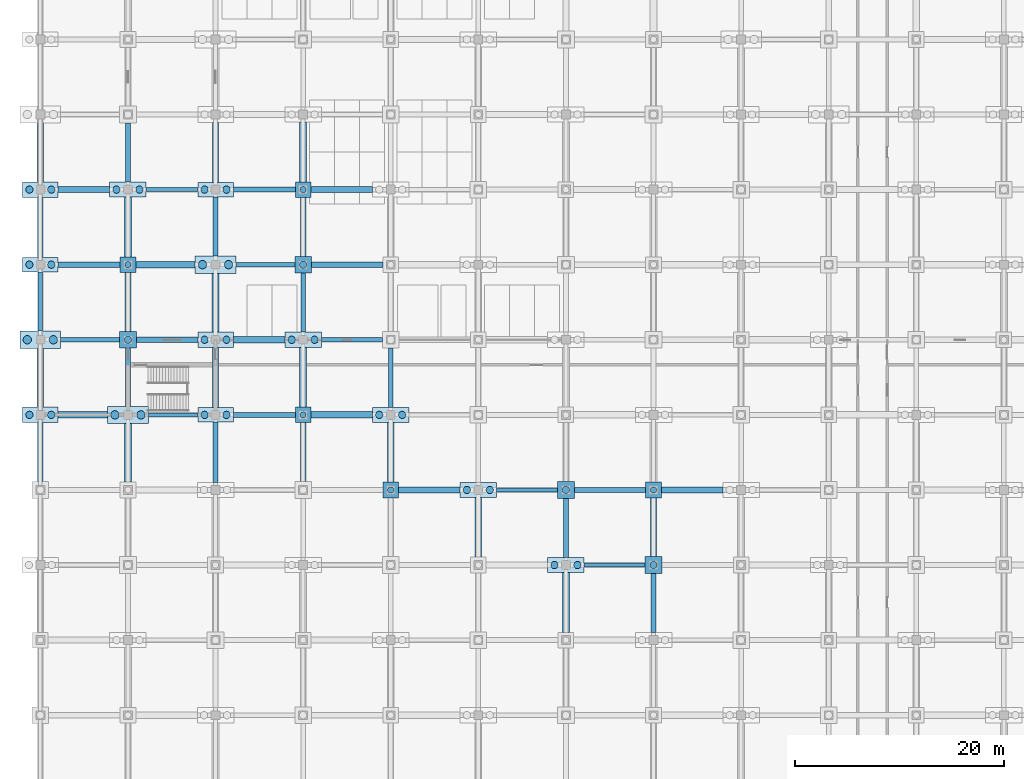
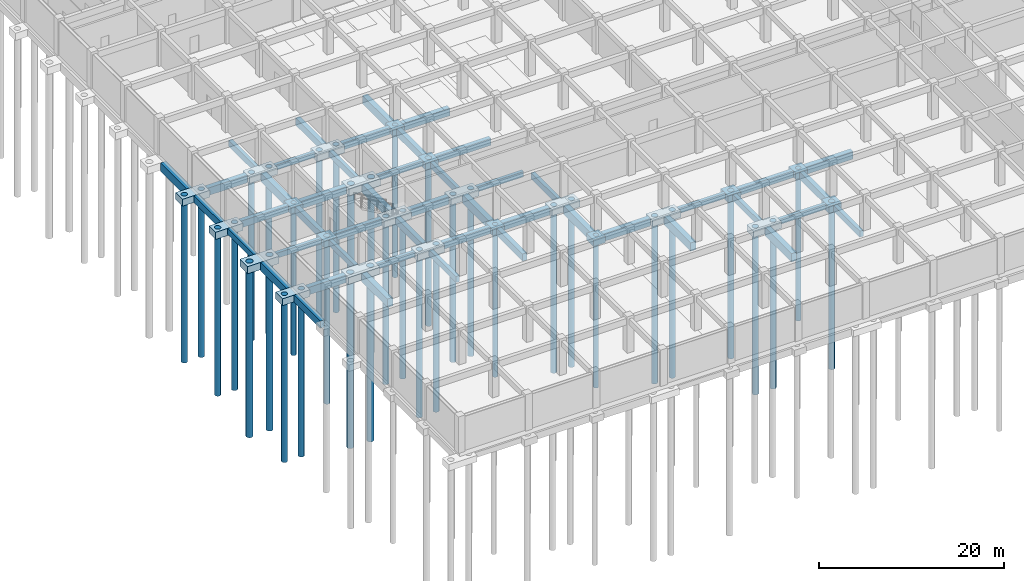
# One storey, part 2 of 85: 71 footings, 37 piles.
"""IFC4 building model written with IfcOpenShell, lengths in metres."""

from ifc_helpers import new_model, si_unit, direction, frame, origin, origin_2d, place, context, subcontext, project, spatial, rectangle, circle, extrude, material, material_profile, profile_set, type_object, element, save


model = new_model("IFC4")

# Units and contexts
model_context = context("Model", 3, precision=1e-05, world=origin(), true_north=direction((0.0, 1.0)))
body_context = subcontext(model_context, "Body", "Model", "MODEL_VIEW")
ifc_project = project(units=[si_unit("LENGTHUNIT", "METRE"), si_unit("AREAUNIT", "SQUARE_METRE"), si_unit("VOLUMEUNIT", "CUBIC_METRE"), si_unit("PLANEANGLEUNIT", "RADIAN"), si_unit("MASSUNIT", "GRAM", prefix="KILO")], contexts=[model_context])

# Site, building, storey
site_placement = place(None, origin())
site = spatial("IfcSite", under=ifc_project, at=site_placement, CompositionType="ELEMENT")
building_placement = place(site_placement, origin())
building = spatial("IfcBuilding", under=site, at=building_placement, Name="Chengyuan Square Courthouse", CompositionType="ELEMENT")
storey_placement = place(building_placement, frame((0.0, 0.0, -10.199951171875)))
storey = spatial("IfcBuildingStorey", under=building, at=storey_placement, Name="B02", CompositionType="ELEMENT", Elevation=-10.199951171875)

# Footings
ifc_material = material(Name="Concrete C40", Category="concrete")
ifc_material_profile_1 = material_profile(ifc_material, rectangle(XDim=0.39990234375, YDim=0.699951171875, at=origin_2d()), Name="GB-400x700")
ifc_profile_set_1 = profile_set([ifc_material_profile_1], Name="Concrete C40")
footing_type_1 = type_object("IfcFootingType", Name="GB-01", PredefinedType="FOOTING_BEAM", material=ifc_profile_set_1)
for number, where, z_axis, x_axis, name in (
    (1, (52.14990234375, 21.60009765625, -1.150146484375), (1.0, 0.0, 0.0), (0.0, 1.0, 0.0), "Ground Tie Beam GB-B02-0067"),
    (2, (43.75, 28.800048828125, -1.150146484375), (1.0, 0.0, 0.0), (0.0, 1.0, 0.0), "Ground Tie Beam GB-B02-0086"),
):
    element("IfcFooting", number, at=place(storey_placement, frame(where, z_axis=z_axis, x_axis=x_axis)), inside=storey, type_object=footing_type_1, Name=name, PredefinedType="FOOTING_BEAM", context=body_context, shape_type="SweptSolid", body=[
        extrude(rectangle(XDim=0.39990234375, YDim=0.699951171875, at=origin_2d()), origin(), (0.0, 0.0, 1.0), 5.85009765625),
    ])
footing_1_placement = place(storey_placement, frame((10.35009765625, 36.0, -1.150146484375), z_axis=(1.0, 0.0, 0.0), x_axis=(0.0, 1.0, 0.0)))
element("IfcFooting", 3, at=footing_1_placement, inside=storey, type_object=footing_type_1, Name="Ground Tie Beam GB-B02-0102", PredefinedType="FOOTING_BEAM", context=body_context, shape_type="SweptSolid", body=[
    extrude(rectangle(XDim=0.39990234375, YDim=0.699951171875, at=origin_2d()), origin(), (0.0, 0.0, 1.0), 4.75),
])
footing_2_placement = place(storey_placement, frame((1.949951171875, 43.199951171875, -1.150146484375), z_axis=(1.0, 0.0, 0.0), x_axis=(0.0, 1.0, 0.0)))
element("IfcFooting", 4, at=footing_2_placement, inside=storey, type_object=footing_type_1, Name="Ground Tie Beam GB-B02-0121", PredefinedType="FOOTING_BEAM", context=body_context, shape_type="SweptSolid", body=[
    extrude(rectangle(XDim=0.39990234375, YDim=0.699951171875, at=origin_2d()), origin(), (0.0, 0.0, 1.0), 5.650146484375),
])
footing_3_placement = place(storey_placement, frame((26.949951171875, 43.199951171875, -1.150146484375), z_axis=(1.0, 0.0, 0.0), x_axis=(0.0, 1.0, 0.0)))
element("IfcFooting", 5, at=footing_3_placement, inside=storey, type_object=footing_type_1, Name="Ground Tie Beam GB-B02-0124", PredefinedType="FOOTING_BEAM", context=body_context, shape_type="SweptSolid", body=[
    extrude(rectangle(XDim=0.39990234375, YDim=0.699951171875, at=origin_2d()), origin(), (0.0, 0.0, 1.0), 5.85009765625),
])
footing_4_placement = place(storey_placement, frame((18.75, 50.39990234375, -1.150146484375), z_axis=(1.0, 0.0, 0.0), x_axis=(0.0, 1.0, 0.0)))
element("IfcFooting", 6, at=footing_4_placement, inside=storey, type_object=footing_type_1, Name="Ground Tie Beam GB-B02-0143", PredefinedType="FOOTING_BEAM", context=body_context, shape_type="SweptSolid", body=[
    extrude(rectangle(XDim=0.39990234375, YDim=0.699951171875, at=origin_2d()), origin(), (0.0, 0.0, 1.0), 5.64990234375),
])
footing_5_placement = place(storey_placement, frame((10.14990234375, 57.60009765625, -1.150146484375), z_axis=(1.0, 0.0, 0.0), x_axis=(0.0, 1.0, 0.0)))
element("IfcFooting", 7, at=footing_5_placement, inside=storey, type_object=footing_type_1, Name="Ground Tie Beam GB-B02-0162", PredefinedType="FOOTING_BEAM", context=body_context, shape_type="SweptSolid", body=[
    extrude(rectangle(XDim=0.39990234375, YDim=0.699951171875, at=origin_2d()), origin(), (0.0, 0.0, 1.0), 4.9501953125),
])
ifc_material_profile_2 = material_profile(ifc_material, rectangle(XDim=0.449951171875, YDim=0.800048828125, at=origin_2d()), Name="GB-450x800")
ifc_profile_set_2 = profile_set([ifc_material_profile_2], Name="Concrete C40")
footing_type_2 = type_object("IfcFootingType", Name="GB-02", PredefinedType="FOOTING_BEAM", material=ifc_profile_set_2)
footing_6_placement = place(storey_placement, frame((0.0, 44.02490234375, -1.199951171875), z_axis=(0.0, 1.0, 0.0), x_axis=(-1.0, 0.0, 0.0)))
element("IfcFooting", 8, at=footing_6_placement, inside=storey, type_object=footing_type_2, Name="Ground Tie Beam GB-B02-0353", PredefinedType="FOOTING_BEAM", context=body_context, shape_type="SweptSolid", body=[
    extrude(rectangle(XDim=0.449951171875, YDim=0.800048828125, at=origin_2d()), origin(), (0.0, 0.0, 1.0), 5.675048828125),
])
footing_7_placement = place(storey_placement, frame((8.39990234375, 36.824951171875, -1.199951171875), z_axis=(0.0, 1.0, 0.0), x_axis=(-1.0, 0.0, 0.0)))
element("IfcFooting", 9, at=footing_7_placement, inside=storey, type_object=footing_type_2, Name="Ground Tie Beam GB-B02-0368", PredefinedType="FOOTING_BEAM", context=body_context, shape_type="SweptSolid", body=[
    extrude(rectangle(XDim=0.449951171875, YDim=0.800048828125, at=origin_2d()), origin(), (0.0, 0.0, 1.0), 5.574951171875),
])
footing_8_placement = place(storey_placement, frame((8.39990234375, 58.324951171875, -1.199951171875), z_axis=(0.0, 1.0, 0.0), x_axis=(-1.0, 0.0, 0.0)))
element("IfcFooting", 10, at=footing_8_placement, inside=storey, type_object=footing_type_2, Name="Ground Tie Beam GB-B02-0371", PredefinedType="FOOTING_BEAM", context=body_context, shape_type="SweptSolid", body=[
    extrude(rectangle(XDim=0.449951171875, YDim=0.800048828125, at=origin_2d()), origin(), (0.0, 0.0, 1.0), 5.675048828125),
])
footing_9_placement = place(storey_placement, frame((16.800048828125, 29.52490234375, -1.199951171875), z_axis=(0.0, 1.0, 0.0), x_axis=(-1.0, 0.0, 0.0)))
element("IfcFooting", 11, at=footing_9_placement, inside=storey, type_object=footing_type_2, Name="Ground Tie Beam GB-B02-0383", PredefinedType="FOOTING_BEAM", context=body_context, shape_type="SweptSolid", body=[
    extrude(rectangle(XDim=0.449951171875, YDim=0.800048828125, at=origin_2d()), origin(), (0.0, 0.0, 1.0), 5.775146484375),
])
footing_10_placement = place(storey_placement, frame((16.800048828125, 51.22509765625, -1.199951171875), z_axis=(0.0, 1.0, 0.0), x_axis=(-1.0, 0.0, 0.0)))
element("IfcFooting", 12, at=footing_10_placement, inside=storey, type_object=footing_type_2, Name="Ground Tie Beam GB-B02-0386", PredefinedType="FOOTING_BEAM", context=body_context, shape_type="SweptSolid", body=[
    extrude(rectangle(XDim=0.449951171875, YDim=0.800048828125, at=origin_2d()), origin(), (0.0, 0.0, 1.0), 5.6748046875),
])
footing_11_placement = place(storey_placement, frame((25.199951171875, 43.925048828125, -1.199951171875), z_axis=(0.0, 1.0, 0.0), x_axis=(-1.0, 0.0, 0.0)))
element("IfcFooting", 13, at=footing_11_placement, inside=storey, type_object=footing_type_2, Name="Ground Tie Beam GB-B02-0401", PredefinedType="FOOTING_BEAM", context=body_context, shape_type="SweptSolid", body=[
    extrude(rectangle(XDim=0.449951171875, YDim=0.800048828125, at=origin_2d()), origin(), (0.0, 0.0, 1.0), 5.675048828125),
])
footing_12_placement = place(storey_placement, frame((33.60009765625, 36.72509765625, -1.199951171875), z_axis=(0.0, 1.0, 0.0), x_axis=(-1.0, 0.0, 0.0)))
element("IfcFooting", 14, at=footing_12_placement, inside=storey, type_object=footing_type_2, Name="Ground Tie Beam GB-B02-0416", PredefinedType="FOOTING_BEAM", context=body_context, shape_type="SweptSolid", body=[
    extrude(rectangle(XDim=0.449951171875, YDim=0.800048828125, at=origin_2d()), origin(), (0.0, 0.0, 1.0), 5.6748046875),
])
for number, where, z_axis, x_axis, name in (
    (15, (50.39990234375, 22.324951171875, -1.199951171875), (0.0, 1.0, 0.0), (-1.0, 0.0, 0.0), "Ground Tie Beam GB-B02-0446"),
    (16, (58.800048828125, 15.125, -1.199951171875), (0.0, 1.0, 0.0), (-1.0, 0.0, 0.0), "Ground Tie Beam GB-B02-0461"),
):
    element("IfcFooting", number, at=place(storey_placement, frame(where, z_axis=z_axis, x_axis=x_axis)), inside=storey, type_object=footing_type_2, Name=name, PredefinedType="FOOTING_BEAM", context=body_context, shape_type="SweptSolid", body=[
        extrude(rectangle(XDim=0.449951171875, YDim=0.800048828125, at=origin_2d()), origin(), (0.0, 0.0, 1.0), 5.675048828125),
    ])
ifc_material_profile_3 = material_profile(ifc_material, rectangle(XDim=0.5, YDim=0.89990234375, at=origin_2d()), Name="GB-500x900")
ifc_profile_set_3 = profile_set([ifc_material_profile_3], Name="Concrete C40")
footing_type_3 = type_object("IfcFootingType", Name="GB-03", PredefinedType="FOOTING_BEAM", material=ifc_profile_set_3)
footing_13_placement = place(storey_placement, frame((51.199951171875, 28.800048828125, -1.25), z_axis=(1.0, 0.0, 0.0), x_axis=(0.0, 1.0, 0.0)))
element("IfcFooting", 17, at=footing_13_placement, inside=storey, type_object=footing_type_3, Name="Ground Tie Beam GB-B02-0087", PredefinedType="FOOTING_BEAM", context=body_context, shape_type="SweptSolid", body=[
    extrude(rectangle(XDim=0.5, YDim=0.89990234375, at=origin_2d()), origin(), (0.0, 0.0, 1.0), 6.85009765625),
])
footing_14_placement = place(storey_placement, frame((18.5, 36.0, -1.25), z_axis=(1.0, 0.0, 0.0), x_axis=(0.0, 1.0, 0.0)))
element("IfcFooting", 18, at=footing_14_placement, inside=storey, type_object=footing_type_3, Name="Ground Tie Beam GB-B02-0103", PredefinedType="FOOTING_BEAM", context=body_context, shape_type="SweptSolid", body=[
    extrude(rectangle(XDim=0.5, YDim=0.89990234375, at=origin_2d()), origin(), (0.0, 0.0, 1.0), 5.949951171875),
])
footing_15_placement = place(storey_placement, frame((9.199951171875, 43.199951171875, -1.25), z_axis=(1.0, 0.0, 0.0), x_axis=(0.0, 1.0, 0.0)))
element("IfcFooting", 19, at=footing_15_placement, inside=storey, type_object=footing_type_3, Name="Ground Tie Beam GB-B02-0122", PredefinedType="FOOTING_BEAM", context=body_context, shape_type="SweptSolid", body=[
    extrude(rectangle(XDim=0.5, YDim=0.89990234375, at=origin_2d()), origin(), (0.0, 0.0, 1.0), 5.900146484375),
])
footing_16_placement = place(storey_placement, frame((1.699951171875, 50.39990234375, -1.25), z_axis=(1.0, 0.0, 0.0), x_axis=(0.0, 1.0, 0.0)))
element("IfcFooting", 20, at=footing_16_placement, inside=storey, type_object=footing_type_3, Name="Ground Tie Beam GB-B02-0141", PredefinedType="FOOTING_BEAM", context=body_context, shape_type="SweptSolid", body=[
    extrude(rectangle(XDim=0.5, YDim=0.89990234375, at=origin_2d()), origin(), (0.0, 0.0, 1.0), 5.949951171875),
])
footing_17_placement = place(storey_placement, frame((26.0, 50.39990234375, -1.25), z_axis=(1.0, 0.0, 0.0), x_axis=(0.0, 1.0, 0.0)))
element("IfcFooting", 21, at=footing_17_placement, inside=storey, type_object=footing_type_3, Name="Ground Tie Beam GB-B02-0144", PredefinedType="FOOTING_BEAM", context=body_context, shape_type="SweptSolid", body=[
    extrude(rectangle(XDim=0.5, YDim=0.89990234375, at=origin_2d()), origin(), (0.0, 0.0, 1.0), 6.85009765625),
])
footing_18_placement = place(storey_placement, frame((18.5, 57.60009765625, -1.25), z_axis=(1.0, 0.0, 0.0), x_axis=(0.0, 1.0, 0.0)))
element("IfcFooting", 22, at=footing_18_placement, inside=storey, type_object=footing_type_3, Name="Ground Tie Beam GB-B02-0163", PredefinedType="FOOTING_BEAM", context=body_context, shape_type="SweptSolid", body=[
    extrude(rectangle(XDim=0.5, YDim=0.89990234375, at=origin_2d()), origin(), (0.0, 0.0, 1.0), 5.949951171875),
])
ifc_material_profile_4 = material_profile(ifc_material, rectangle(XDim=0.550048828125, YDim=0.949951171875, at=origin_2d()), Name="GB-550x950")
ifc_profile_set_4 = profile_set([ifc_material_profile_4], Name="Concrete C40")
footing_type_4 = type_object("IfcFootingType", Name="GB-04", PredefinedType="FOOTING_BEAM", material=ifc_profile_set_4)
footing_19_placement = place(storey_placement, frame((0.0, 29.60009765625, -1.275146484375), z_axis=(0.0, 1.0, 0.0), x_axis=(-1.0, 0.0, 0.0)))
element("IfcFooting", 23, at=footing_19_placement, inside=storey, type_object=footing_type_4, Name="Ground Tie Beam GB-B02-0351", PredefinedType="FOOTING_BEAM", context=body_context, shape_type="SweptSolid", body=[
    extrude(rectangle(XDim=0.550048828125, YDim=0.949951171875, at=origin_2d()), origin(), (0.0, 0.0, 1.0), 5.64990234375),
])
footing_20_placement = place(storey_placement, frame((0.0, 51.10009765625, -1.275146484375), z_axis=(0.0, 1.0, 0.0), x_axis=(-1.0, 0.0, 0.0)))
element("IfcFooting", 24, at=footing_20_placement, inside=storey, type_object=footing_type_4, Name="Ground Tie Beam GB-B02-0354", PredefinedType="FOOTING_BEAM", context=body_context, shape_type="SweptSolid", body=[
    extrude(rectangle(XDim=0.550048828125, YDim=0.949951171875, at=origin_2d()), origin(), (0.0, 0.0, 1.0), 5.75),
])
footing_21_placement = place(storey_placement, frame((8.39990234375, 44.0, -1.275146484375), z_axis=(0.0, 1.0, 0.0), x_axis=(-1.0, 0.0, 0.0)))
element("IfcFooting", 25, at=footing_21_placement, inside=storey, type_object=footing_type_4, Name="Ground Tie Beam GB-B02-0369", PredefinedType="FOOTING_BEAM", context=body_context, shape_type="SweptSolid", body=[
    extrude(rectangle(XDim=0.550048828125, YDim=0.949951171875, at=origin_2d()), origin(), (0.0, 0.0, 1.0), 5.64990234375),
])
for number, where, z_axis, x_axis, name in (
    (26, (16.800048828125, 36.699951171875, -1.275146484375), (0.0, 1.0, 0.0), (-1.0, 0.0, 0.0), "Ground Tie Beam GB-B02-0384"),
    (27, (16.800048828125, 58.300048828125, -1.275146484375), (0.0, 1.0, 0.0), (-1.0, 0.0, 0.0), "Ground Tie Beam GB-B02-0387"),
):
    element("IfcFooting", number, at=place(storey_placement, frame(where, z_axis=z_axis, x_axis=x_axis)), inside=storey, type_object=footing_type_4, Name=name, PredefinedType="FOOTING_BEAM", context=body_context, shape_type="SweptSolid", body=[
        extrude(rectangle(XDim=0.550048828125, YDim=0.949951171875, at=origin_2d()), origin(), (0.0, 0.0, 1.0), 5.75),
    ])
footing_22_placement = place(storey_placement, frame((25.199951171875, 29.60009765625, -1.275146484375), z_axis=(0.0, 1.0, 0.0), x_axis=(-1.0, 0.0, 0.0)))
element("IfcFooting", 28, at=footing_22_placement, inside=storey, type_object=footing_type_4, Name="Ground Tie Beam GB-B02-0399", PredefinedType="FOOTING_BEAM", context=body_context, shape_type="SweptSolid", body=[
    extrude(rectangle(XDim=0.550048828125, YDim=0.949951171875, at=origin_2d()), origin(), (0.0, 0.0, 1.0), 5.64990234375),
])
for number, where, z_axis, x_axis, name in (
    (29, (25.199951171875, 51.199951171875, -1.275146484375), (0.0, 1.0, 0.0), (-1.0, 0.0, 0.0), "Ground Tie Beam GB-B02-0402"),
    (30, (58.800048828125, 22.39990234375, -1.275146484375), (0.0, 1.0, 0.0), (-1.0, 0.0, 0.0), "Ground Tie Beam GB-B02-0462"),
):
    element("IfcFooting", number, at=place(storey_placement, frame(where, z_axis=z_axis, x_axis=x_axis)), inside=storey, type_object=footing_type_4, Name=name, PredefinedType="FOOTING_BEAM", context=body_context, shape_type="SweptSolid", body=[
        extrude(rectangle(XDim=0.550048828125, YDim=0.949951171875, at=origin_2d()), origin(), (0.0, 0.0, 1.0), 5.650146484375),
    ])
ifc_material_profile_5 = material_profile(ifc_material, rectangle(XDim=0.60009765625, YDim=1.0, at=origin_2d()), Name="GB-600x1000")
ifc_profile_set_5 = profile_set([ifc_material_profile_5], Name="Concrete C40")
footing_type_5 = type_object("IfcFootingType", Name="GB-05", PredefinedType="FOOTING_BEAM", material=ifc_profile_set_5)
for number, where, z_axis, x_axis, name in (
    (31, (34.35009765625, 28.800048828125, -1.300048828125), (1.0, 0.0, 0.0), (0.0, 1.0, 0.0), "Ground Tie Beam GB-B02-0085"),
    (32, (59.550048828125, 28.800048828125, -1.300048828125), (1.0, 0.0, 0.0), (0.0, 1.0, 0.0), "Ground Tie Beam GB-B02-0088"),
):
    element("IfcFooting", number, at=place(storey_placement, frame(where, z_axis=z_axis, x_axis=x_axis)), inside=storey, type_object=footing_type_5, Name=name, PredefinedType="FOOTING_BEAM", context=body_context, shape_type="SweptSolid", body=[
        extrude(rectangle(XDim=0.60009765625, YDim=1.0, at=origin_2d()), origin(), (0.0, 0.0, 1.0), 5.89990234375),
    ])
footing_23_placement = place(storey_placement, frame((1.699951171875, 36.0, -1.300048828125), z_axis=(1.0, 0.0, 0.0), x_axis=(0.0, 1.0, 0.0)))
element("IfcFooting", 33, at=footing_23_placement, inside=storey, type_object=footing_type_5, Name="Ground Tie Beam GB-B02-0101", PredefinedType="FOOTING_BEAM", context=body_context, shape_type="SweptSolid", body=[
    extrude(rectangle(XDim=0.60009765625, YDim=1.0, at=origin_2d()), origin(), (0.0, 0.0, 1.0), 4.75),
])
footing_24_placement = place(storey_placement, frame((25.949951171875, 36.0, -1.300048828125), z_axis=(1.0, 0.0, 0.0), x_axis=(0.0, 1.0, 0.0)))
element("IfcFooting", 34, at=footing_24_placement, inside=storey, type_object=footing_type_5, Name="Ground Tie Beam GB-B02-0104", PredefinedType="FOOTING_BEAM", context=body_context, shape_type="SweptSolid", body=[
    extrude(rectangle(XDim=0.60009765625, YDim=1.0, at=origin_2d()), origin(), (0.0, 0.0, 1.0), 5.900146484375),
])
footing_25_placement = place(storey_placement, frame((18.5, 43.199951171875, -1.300048828125), z_axis=(1.0, 0.0, 0.0), x_axis=(0.0, 1.0, 0.0)))
element("IfcFooting", 35, at=footing_25_placement, inside=storey, type_object=footing_type_5, Name="Ground Tie Beam GB-B02-0123", PredefinedType="FOOTING_BEAM", context=body_context, shape_type="SweptSolid", body=[
    extrude(rectangle(XDim=0.60009765625, YDim=1.0, at=origin_2d()), origin(), (0.0, 0.0, 1.0), 4.949951171875),
])
footing_26_placement = place(storey_placement, frame((9.14990234375, 50.39990234375, -1.300048828125), z_axis=(1.0, 0.0, 0.0), x_axis=(0.0, 1.0, 0.0)))
element("IfcFooting", 36, at=footing_26_placement, inside=storey, type_object=footing_type_5, Name="Ground Tie Beam GB-B02-0142", PredefinedType="FOOTING_BEAM", context=body_context, shape_type="SweptSolid", body=[
    extrude(rectangle(XDim=0.60009765625, YDim=1.0, at=origin_2d()), origin(), (0.0, 0.0, 1.0), 5.7001953125),
])
footing_27_placement = place(storey_placement, frame((1.699951171875, 57.60009765625, -1.300048828125), z_axis=(1.0, 0.0, 0.0), x_axis=(0.0, 1.0, 0.0)))
element("IfcFooting", 37, at=footing_27_placement, inside=storey, type_object=footing_type_5, Name="Ground Tie Beam GB-B02-0161", PredefinedType="FOOTING_BEAM", context=body_context, shape_type="SweptSolid", body=[
    extrude(rectangle(XDim=0.60009765625, YDim=1.0, at=origin_2d()), origin(), (0.0, 0.0, 1.0), 4.949951171875),
])
footing_28_placement = place(storey_placement, frame((25.949951171875, 57.60009765625, -1.300048828125), z_axis=(1.0, 0.0, 0.0), x_axis=(0.0, 1.0, 0.0)))
element("IfcFooting", 38, at=footing_28_placement, inside=storey, type_object=footing_type_5, Name="Ground Tie Beam GB-B02-0164", PredefinedType="FOOTING_BEAM", context=body_context, shape_type="SweptSolid", body=[
    extrude(rectangle(XDim=0.60009765625, YDim=1.0, at=origin_2d()), origin(), (0.0, 0.0, 1.0), 5.900146484375),
])
ifc_material_profile_6 = material_profile(ifc_material, rectangle(XDim=0.64990234375, YDim=1.10009765625, at=origin_2d()), Name="GB-650x1100")
ifc_profile_set_6 = profile_set([ifc_material_profile_6], Name="Concrete C40")
footing_type_6 = type_object("IfcFootingType", Name="GB-06", PredefinedType="FOOTING_BEAM", material=ifc_profile_set_6)
for number, where, z_axis, x_axis, name in (
    (39, (0.0, 36.75, -1.35009765625), (0.0, 1.0, 0.0), (-1.0, 0.0, 0.0), "Ground Tie Beam GB-B02-0352"),
    (40, (0.0, 58.35009765625, -1.35009765625), (0.0, 1.0, 0.0), (-1.0, 0.0, 0.0), "Ground Tie Beam GB-B02-0355"),
    (41, (8.39990234375, 29.550048828125, -1.35009765625), (0.0, 1.0, 0.0), (-1.0, 0.0, 0.0), "Ground Tie Beam GB-B02-0367"),
):
    element("IfcFooting", number, at=place(storey_placement, frame(where, z_axis=z_axis, x_axis=x_axis)), inside=storey, type_object=footing_type_6, Name=name, PredefinedType="FOOTING_BEAM", context=body_context, shape_type="SweptSolid", body=[
        extrude(rectangle(XDim=0.64990234375, YDim=1.10009765625, at=origin_2d()), origin(), (0.0, 0.0, 1.0), 5.625),
    ])
footing_29_placement = place(storey_placement, frame((8.39990234375, 51.14990234375, -1.35009765625), z_axis=(0.0, 1.0, 0.0), x_axis=(-1.0, 0.0, 0.0)))
element("IfcFooting", 42, at=footing_29_placement, inside=storey, type_object=footing_type_6, Name="Ground Tie Beam GB-B02-0370", PredefinedType="FOOTING_BEAM", context=body_context, shape_type="SweptSolid", body=[
    extrude(rectangle(XDim=0.64990234375, YDim=1.10009765625, at=origin_2d()), origin(), (0.0, 0.0, 1.0), 5.72509765625),
])
footing_30_placement = place(storey_placement, frame((16.800048828125, 43.949951171875, -1.35009765625), z_axis=(0.0, 1.0, 0.0), x_axis=(-1.0, 0.0, 0.0)))
element("IfcFooting", 43, at=footing_30_placement, inside=storey, type_object=footing_type_6, Name="Ground Tie Beam GB-B02-0385", PredefinedType="FOOTING_BEAM", context=body_context, shape_type="SweptSolid", body=[
    extrude(rectangle(XDim=0.64990234375, YDim=1.10009765625, at=origin_2d()), origin(), (0.0, 0.0, 1.0), 5.625),
])
footing_31_placement = place(storey_placement, frame((25.199951171875, 36.75, -1.35009765625), z_axis=(0.0, 1.0, 0.0), x_axis=(-1.0, 0.0, 0.0)))
element("IfcFooting", 44, at=footing_31_placement, inside=storey, type_object=footing_type_6, Name="Ground Tie Beam GB-B02-0400", PredefinedType="FOOTING_BEAM", context=body_context, shape_type="SweptSolid", body=[
    extrude(rectangle(XDim=0.64990234375, YDim=1.10009765625, at=origin_2d()), origin(), (0.0, 0.0, 1.0), 5.72509765625),
])
for number, where, z_axis, x_axis, name in (
    (45, (25.199951171875, 58.35009765625, -1.35009765625), (0.0, 1.0, 0.0), (-1.0, 0.0, 0.0), "Ground Tie Beam GB-B02-0403"),
    (46, (33.60009765625, 29.550048828125, -1.35009765625), (0.0, 1.0, 0.0), (-1.0, 0.0, 0.0), "Ground Tie Beam GB-B02-0415"),
    (47, (42.0, 22.35009765625, -1.35009765625), (0.0, 1.0, 0.0), (-1.0, 0.0, 0.0), "Ground Tie Beam GB-B02-0430"),
):
    element("IfcFooting", number, at=place(storey_placement, frame(where, z_axis=z_axis, x_axis=x_axis)), inside=storey, type_object=footing_type_6, Name=name, PredefinedType="FOOTING_BEAM", context=body_context, shape_type="SweptSolid", body=[
        extrude(rectangle(XDim=0.64990234375, YDim=1.10009765625, at=origin_2d()), origin(), (0.0, 0.0, 1.0), 5.724853515625),
    ])
footing_32_placement = place(storey_placement, frame((50.39990234375, 15.14990234375, -1.35009765625), z_axis=(0.0, 1.0, 0.0), x_axis=(-1.0, 0.0, 0.0)))
element("IfcFooting", 48, at=footing_32_placement, inside=storey, type_object=footing_type_6, Name="Ground Tie Beam GB-B02-0445", PredefinedType="FOOTING_BEAM", context=body_context, shape_type="SweptSolid", body=[
    extrude(rectangle(XDim=0.64990234375, YDim=1.10009765625, at=origin_2d()), origin(), (0.0, 0.0, 1.0), 5.72509765625),
])
footing_type_7 = type_object("IfcFootingType", Name="PC-16", PredefinedType="PILE_CAP", material=ifc_material)
for number, where, z_axis, x_axis, name in (
    (49, (0.0, 43.199951171875, -1.75), (0.0, 0.0, 1.0), (1.0, 0.0, 0.0), "Pile Cap PC-B02-007"),
    (50, (8.39990234375, 36.0, -1.75), (0.0, 0.0, 1.0), (1.0, 0.0, 0.0), "Pile Cap PC-B02-023"),
    (51, (16.800048828125, 50.39990234375, -1.75), (0.0, 0.0, 1.0), (1.0, 0.0, 0.0), "Pile Cap PC-B02-042"),
):
    element("IfcFooting", number, at=place(storey_placement, frame(where, z_axis=z_axis, x_axis=x_axis)), inside=storey, type_object=footing_type_7, Name=name, PredefinedType="PILE_CAP", context=body_context, shape_type="SweptSolid", body=[
        extrude(rectangle(XDim=3.89990234375, YDim=1.64990234375, at=origin_2d()), origin(), (0.0, 0.0, 1.0), 0.949951171875),
    ])
footing_type_8 = type_object("IfcFootingType", Name="PC-17", PredefinedType="PILE_CAP", material=ifc_material)
for number, where, z_axis, x_axis, name in (
    (52, (0.0, 50.39990234375, -1.75), (0.0, 0.0, 1.0), (1.0, 0.0, 0.0), "Pile Cap PC-B02-008"),
    (53, (16.800048828125, 36.0, -1.75), (0.0, 0.0, 1.0), (1.0, 0.0, 0.0), "Pile Cap PC-B02-040"),
    (54, (16.800048828125, 57.60009765625, -1.75), (0.0, 0.0, 1.0), (1.0, 0.0, 0.0), "Pile Cap PC-B02-043"),
):
    element("IfcFooting", number, at=place(storey_placement, frame(where, z_axis=z_axis, x_axis=x_axis)), inside=storey, type_object=footing_type_8, Name=name, PredefinedType="PILE_CAP", context=body_context, shape_type="SweptSolid", body=[
        extrude(rectangle(XDim=3.39990234375, YDim=1.39990234375, at=origin_2d()), origin(), (0.0, 0.0, 1.0), 0.949951171875),
    ])
footing_type_9 = type_object("IfcFootingType", Name="PC-18", PredefinedType="PILE_CAP", material=ifc_material)
for number, where, z_axis, x_axis, name in (
    (55, (0.0, 36.0, -1.699951171875), (0.0, 0.0, 1.0), (1.0, 0.0, 0.0), "Pile Cap PC-B02-006"),
    (56, (0.0, 57.60009765625, -1.699951171875), (0.0, 0.0, 1.0), (1.0, 0.0, 0.0), "Pile Cap PC-B02-009"),
    (57, (16.800048828125, 43.199951171875, -1.699951171875), (0.0, 0.0, 1.0), (1.0, 0.0, 0.0), "Pile Cap PC-B02-041"),
):
    element("IfcFooting", number, at=place(storey_placement, frame(where, z_axis=z_axis, x_axis=x_axis)), inside=storey, type_object=footing_type_9, Name=name, PredefinedType="PILE_CAP", context=body_context, shape_type="SweptSolid", body=[
        extrude(rectangle(XDim=3.39990234375, YDim=1.5, at=origin_2d()), origin(), (0.0, 0.0, 1.0), 0.89990234375),
    ])
footing_type_10 = type_object("IfcFootingType", Name="PC-19", PredefinedType="PILE_CAP", material=ifc_material)
for number, where, z_axis, x_axis, name in (
    (58, (8.39990234375, 57.60009765625, -1.650146484375), (0.0, 0.0, 1.0), (1.0, 0.0, 0.0), "Pile Cap PC-B02-026"),
    (59, (25.199951171875, 43.199951171875, -1.650146484375), (0.0, 0.0, 1.0), (1.0, 0.0, 0.0), "Pile Cap PC-B02-058"),
    (60, (33.60009765625, 36.0, -1.650146484375), (0.0, 0.0, 1.0), (1.0, 0.0, 0.0), "Pile Cap PC-B02-074"),
    (61, (42.0, 28.800048828125, -1.650146484375), (0.0, 0.0, 1.0), (1.0, 0.0, 0.0), "Pile Cap PC-B02-090"),
    (62, (50.39990234375, 21.60009765625, -1.650146484375), (0.0, 0.0, 1.0), (1.0, 0.0, 0.0), "Pile Cap PC-B02-106"),
):
    element("IfcFooting", number, at=place(storey_placement, frame(where, z_axis=z_axis, x_axis=x_axis)), inside=storey, type_object=footing_type_10, Name=name, PredefinedType="PILE_CAP", context=body_context, shape_type="SweptSolid", body=[
        extrude(rectangle(XDim=3.5, YDim=1.449951171875, at=origin_2d()), origin(), (0.0, 0.0, 1.0), 0.85009765625),
    ])
footing_type_11 = type_object("IfcFootingType", Name="PC-20", PredefinedType="PILE_CAP", material=ifc_material)
for number, where, z_axis, x_axis, name in (
    (63, (8.39990234375, 43.199951171875, -1.699951171875), (0.0, 0.0, 1.0), (1.0, 0.0, 0.0), "Pile Cap PC-B02-024"),
    (64, (25.199951171875, 50.39990234375, -1.699951171875), (0.0, 0.0, 1.0), (1.0, 0.0, 0.0), "Pile Cap PC-B02-059"),
    (65, (50.39990234375, 28.800048828125, -1.699951171875), (0.0, 0.0, 1.0), (1.0, 0.0, 0.0), "Pile Cap PC-B02-107"),
    (66, (58.800048828125, 21.60009765625, -1.699951171875), (0.0, 0.0, 1.0), (1.0, 0.0, 0.0), "Pile Cap PC-B02-123"),
):
    element("IfcFooting", number, at=place(storey_placement, frame(where, z_axis=z_axis, x_axis=x_axis)), inside=storey, type_object=footing_type_11, Name=name, PredefinedType="PILE_CAP", context=body_context, shape_type="SweptSolid", body=[
        extrude(rectangle(XDim=1.60009765625, YDim=1.60009765625, at=origin_2d()), origin(), (0.0, 0.0, 1.0), 0.89990234375),
    ])
footing_type_12 = type_object("IfcFootingType", Name="PC-21", PredefinedType="PILE_CAP", material=ifc_material)
for number, where, z_axis, x_axis, name in (
    (67, (8.39990234375, 50.39990234375, -1.650146484375), (0.0, 0.0, 1.0), (1.0, 0.0, 0.0), "Pile Cap PC-B02-025"),
    (68, (25.199951171875, 36.0, -1.650146484375), (0.0, 0.0, 1.0), (1.0, 0.0, 0.0), "Pile Cap PC-B02-057"),
    (69, (25.199951171875, 57.60009765625, -1.650146484375), (0.0, 0.0, 1.0), (1.0, 0.0, 0.0), "Pile Cap PC-B02-060"),
    (70, (33.60009765625, 28.800048828125, -1.650146484375), (0.0, 0.0, 1.0), (1.0, 0.0, 0.0), "Pile Cap PC-B02-073"),
    (71, (58.800048828125, 28.800048828125, -1.650146484375), (0.0, 0.0, 1.0), (1.0, 0.0, 0.0), "Pile Cap PC-B02-124"),
):
    element("IfcFooting", number, at=place(storey_placement, frame(where, z_axis=z_axis, x_axis=x_axis)), inside=storey, type_object=footing_type_12, Name=name, PredefinedType="PILE_CAP", context=body_context, shape_type="SweptSolid", body=[
        extrude(rectangle(XDim=1.5, YDim=1.5, at=origin_2d()), origin(), (0.0, 0.0, 1.0), 0.85009765625),
    ])

# Piles
ifc_material_profile_7 = material_profile(ifc_material, circle(Radius=0.300048828125, at=origin_2d()), Name="BORED PILE D600")
ifc_profile_set_7 = profile_set([ifc_material_profile_7], Name="Concrete C40")
pile_type_1 = type_object("IfcPileType", Name="PL-01", PredefinedType="BORED", material=ifc_profile_set_7)
for number, where, z_axis, x_axis, name in (
    (72, (8.39990234375, 50.39990234375, -0.800048828125), (0.0, 0.0, -1.0), (1.0, 0.0, 0.0), "Bored Pile PL-B02-0040"),
    (73, (25.199951171875, 36.0, -0.800048828125), (0.0, 0.0, -1.0), (1.0, 0.0, 0.0), "Bored Pile PL-B02-0094"),
    (74, (25.199951171875, 57.60009765625, -0.800048828125), (0.0, 0.0, -1.0), (1.0, 0.0, 0.0), "Bored Pile PL-B02-0098"),
    (75, (33.60009765625, 28.800048828125, -0.800048828125), (0.0, 0.0, -1.0), (1.0, 0.0, 0.0), "Bored Pile PL-B02-0120"),
    (76, (58.800048828125, 28.800048828125, -0.800048828125), (0.0, 0.0, -1.0), (1.0, 0.0, 0.0), "Bored Pile PL-B02-0221"),
):
    element("IfcPile", number, at=place(storey_placement, frame(where, z_axis=z_axis, x_axis=x_axis)), inside=storey, type_object=pile_type_1, Name=name, PredefinedType="BORED", context=body_context, shape_type="SweptSolid", body=[
        extrude(circle(Radius=0.300048828125, at=origin_2d()), origin(), (0.0, 0.0, 1.0), 20.0),
    ])
ifc_material_profile_8 = material_profile(ifc_material, circle(Radius=0.35009765625, at=origin_2d()), Name="BORED PILE D700")
ifc_profile_set_8 = profile_set([ifc_material_profile_8], Name="Concrete C40")
pile_type_2 = type_object("IfcPileType", Name="PL-02", PredefinedType="BORED", material=ifc_profile_set_8)
for number, where, z_axis, x_axis, name in (
    (77, (-1.050048828125, 36.0, -0.800048828125), (0.0, 0.0, -1.0), (1.0, 0.0, 0.0), "Bored Pile PL-B02-0008"),
    (78, (1.050048828125, 36.0, -0.800048828125), (0.0, 0.0, -1.0), (1.0, 0.0, 0.0), "Bored Pile PL-B02-0009"),
    (79, (-1.050048828125, 50.39990234375, -0.800048828125), (0.0, 0.0, -1.0), (1.0, 0.0, 0.0), "Bored Pile PL-B02-0012"),
    (80, (1.050048828125, 50.39990234375, -0.800048828125), (0.0, 0.0, -1.0), (1.0, 0.0, 0.0), "Bored Pile PL-B02-0013"),
    (81, (-1.050048828125, 57.60009765625, -0.800048828125), (0.0, 0.0, -1.0), (1.0, 0.0, 0.0), "Bored Pile PL-B02-0014"),
    (82, (1.050048828125, 57.60009765625, -0.800048828125), (0.0, 0.0, -1.0), (1.0, 0.0, 0.0), "Bored Pile PL-B02-0015"),
    (83, (8.39990234375, 43.199951171875, -0.800048828125), (0.0, 0.0, -1.0), (1.0, 0.0, 0.0), "Bored Pile PL-B02-0039"),
    (84, (7.300048828125, 57.60009765625, -0.800048828125), (0.0, 0.0, -1.0), (1.0, 0.0, 0.0), "Bored Pile PL-B02-0041"),
    (85, (9.5, 57.60009765625, -0.800048828125), (0.0, 0.0, -1.0), (1.0, 0.0, 0.0), "Bored Pile PL-B02-0042"),
    (86, (15.75, 36.0, -0.800048828125), (0.0, 0.0, -1.0), (1.0, 0.0, 0.0), "Bored Pile PL-B02-0063"),
    (87, (17.85009765625, 36.0, -0.800048828125), (0.0, 0.0, -1.0), (1.0, 0.0, 0.0), "Bored Pile PL-B02-0064"),
    (88, (15.75, 43.199951171875, -0.800048828125), (0.0, 0.0, -1.0), (1.0, 0.0, 0.0), "Bored Pile PL-B02-0065"),
    (89, (17.85009765625, 43.199951171875, -0.800048828125), (0.0, 0.0, -1.0), (1.0, 0.0, 0.0), "Bored Pile PL-B02-0066"),
    (90, (15.75, 57.60009765625, -0.800048828125), (0.0, 0.0, -1.0), (1.0, 0.0, 0.0), "Bored Pile PL-B02-0069"),
    (91, (17.85009765625, 57.60009765625, -0.800048828125), (0.0, 0.0, -1.0), (1.0, 0.0, 0.0), "Bored Pile PL-B02-0070"),
    (92, (24.10009765625, 43.199951171875, -0.800048828125), (0.0, 0.0, -1.0), (1.0, 0.0, 0.0), "Bored Pile PL-B02-0095"),
    (93, (26.300048828125, 43.199951171875, -0.800048828125), (0.0, 0.0, -1.0), (1.0, 0.0, 0.0), "Bored Pile PL-B02-0096"),
    (94, (25.199951171875, 50.39990234375, -0.800048828125), (0.0, 0.0, -1.0), (1.0, 0.0, 0.0), "Bored Pile PL-B02-0097"),
    (95, (32.5, 36.0, -0.800048828125), (0.0, 0.0, -1.0), (1.0, 0.0, 0.0), "Bored Pile PL-B02-0121"),
    (96, (34.699951171875, 36.0, -0.800048828125), (0.0, 0.0, -1.0), (1.0, 0.0, 0.0), "Bored Pile PL-B02-0122"),
    (97, (40.89990234375, 28.800048828125, -0.800048828125), (0.0, 0.0, -1.0), (1.0, 0.0, 0.0), "Bored Pile PL-B02-0147"),
    (98, (43.10009765625, 28.800048828125, -0.800048828125), (0.0, 0.0, -1.0), (1.0, 0.0, 0.0), "Bored Pile PL-B02-0148"),
    (99, (49.300048828125, 21.60009765625, -0.800048828125), (0.0, 0.0, -1.0), (1.0, 0.0, 0.0), "Bored Pile PL-B02-0181"),
    (100, (51.5, 21.60009765625, -0.800048828125), (0.0, 0.0, -1.0), (1.0, 0.0, 0.0), "Bored Pile PL-B02-0182"),
    (101, (50.39990234375, 28.800048828125, -0.800048828125), (0.0, 0.0, -1.0), (1.0, 0.0, 0.0), "Bored Pile PL-B02-0183"),
    (102, (58.800048828125, 21.60009765625, -0.800048828125), (0.0, 0.0, -1.0), (1.0, 0.0, 0.0), "Bored Pile PL-B02-0220"),
):
    element("IfcPile", number, at=place(storey_placement, frame(where, z_axis=z_axis, x_axis=x_axis)), inside=storey, type_object=pile_type_2, Name=name, PredefinedType="BORED", context=body_context, shape_type="SweptSolid", body=[
        extrude(circle(Radius=0.35009765625, at=origin_2d()), origin(), (0.0, 0.0, 1.0), 22.0),
    ])
ifc_material_profile_9 = material_profile(ifc_material, circle(Radius=0.39990234375, at=origin_2d()), Name="BORED PILE D800")
ifc_profile_set_9 = profile_set([ifc_material_profile_9], Name="Concrete C40")
pile_type_3 = type_object("IfcPileType", Name="PL-03", PredefinedType="BORED", material=ifc_profile_set_9)
for number, where, z_axis, x_axis, name in (
    (103, (-1.25, 43.199951171875, -0.800048828125), (0.0, 0.0, -1.0), (1.0, 0.0, 0.0), "Bored Pile PL-B02-0010"),
    (104, (1.25, 43.199951171875, -0.800048828125), (0.0, 0.0, -1.0), (1.0, 0.0, 0.0), "Bored Pile PL-B02-0011"),
    (105, (7.14990234375, 36.0, -0.800048828125), (0.0, 0.0, -1.0), (1.0, 0.0, 0.0), "Bored Pile PL-B02-0037"),
    (106, (9.64990234375, 36.0, -0.800048828125), (0.0, 0.0, -1.0), (1.0, 0.0, 0.0), "Bored Pile PL-B02-0038"),
    (107, (15.550048828125, 50.39990234375, -0.800048828125), (0.0, 0.0, -1.0), (1.0, 0.0, 0.0), "Bored Pile PL-B02-0067"),
    (108, (18.050048828125, 50.39990234375, -0.800048828125), (0.0, 0.0, -1.0), (1.0, 0.0, 0.0), "Bored Pile PL-B02-0068"),
):
    element("IfcPile", number, at=place(storey_placement, frame(where, z_axis=z_axis, x_axis=x_axis)), inside=storey, type_object=pile_type_3, Name=name, PredefinedType="BORED", context=body_context, shape_type="SweptSolid", body=[
        extrude(circle(Radius=0.39990234375, at=origin_2d()), origin(), (0.0, 0.0, 1.0), 23.0),
    ])

save(model, "model.ifc")
